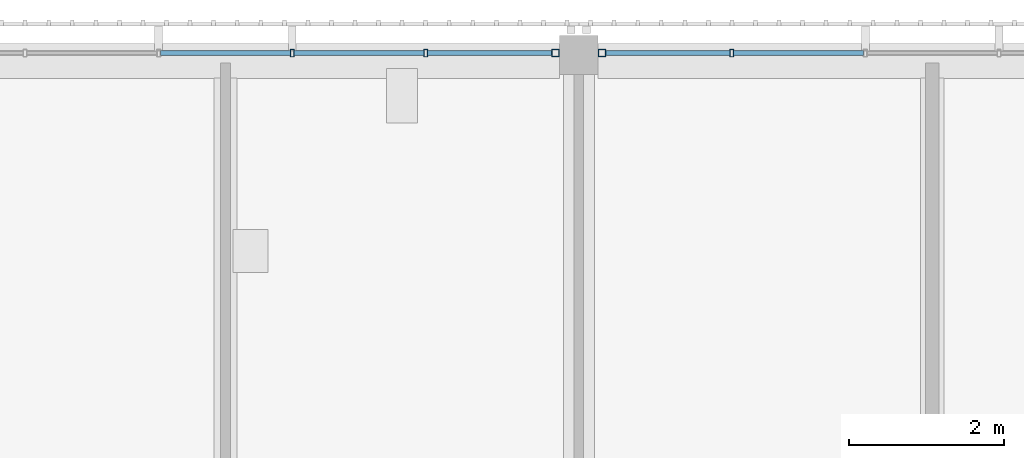
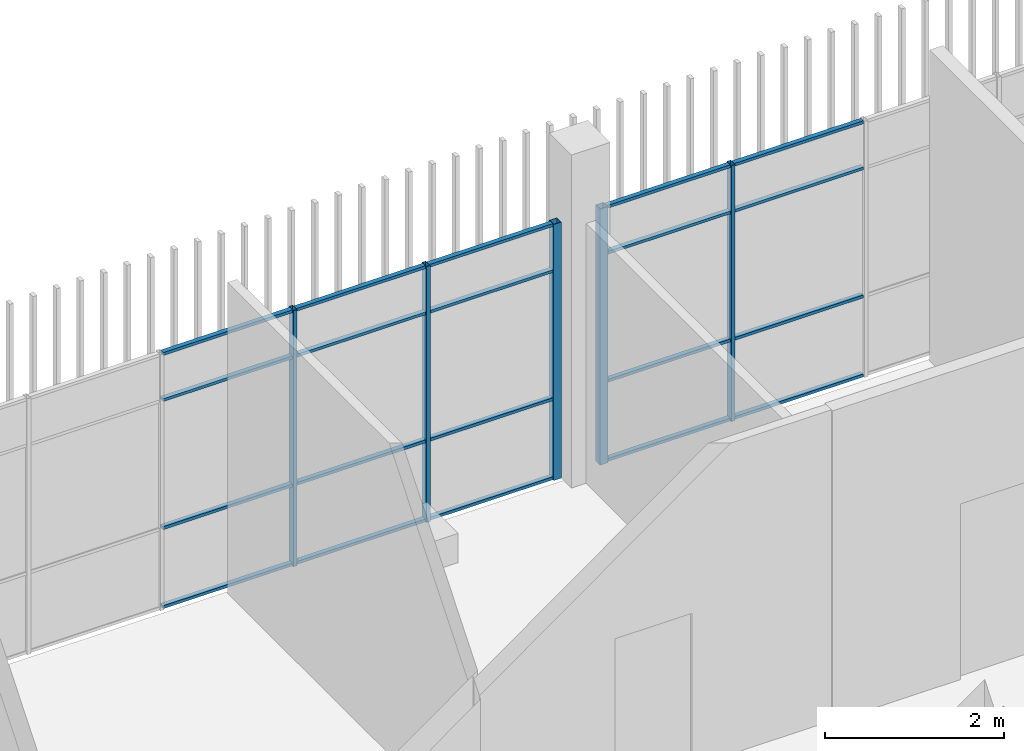
# One storey, part 46 of 124: 25 members, 2 elements without a shape of their own.
"""IFC4 building model written with IfcOpenShell, lengths in metres."""

import ifcopenshell
import ifcopenshell.guid

model = None  # the IFC model being written
_history = None  # IfcOwnerHistory: only IFC2X3 demands one
_inside = {}  # id of a spatial element -> (the spatial element, [elements in it])
_under = {}  # id of a project, library or spatial element -> (it, [spatial elements below it])
_declared = {}  # id of a project -> (the project, [libraries it declares])
_typed = {}  # id of a type object -> (the type object, [elements of that type])
_made_of = {}  # id of a material, layer set ... -> (it, [elements and type objects made of it])


def new_model(schema):
    """Start an empty IFC model of exactly this schema.

    Asked for "IFC4X3", IfcOpenShell would pick the latest addendum, in which some entities
    have other attributes; the version numbers below select the first issue.
    IFC2X3 requires an IfcOwnerHistory on every rooted entity: one is made here for all.
    """
    global model, _history
    if schema == "IFC4X3":
        model = ifcopenshell.file(schema_version=(4, 3, 0, 0))
    else:
        model = ifcopenshell.file(schema=schema)
    _inside.clear()
    _under.clear()
    _declared.clear()
    _typed.clear()
    _made_of.clear()
    _history = None
    if model.schema == "IFC2X3":
        org = make("IfcOrganization", Name="unknown")
        user = make(
            "IfcPersonAndOrganization",
            ThePerson=make("IfcPerson", FamilyName="unknown"),
            TheOrganization=org,
        )
        app = make(
            "IfcApplication",
            ApplicationDeveloper=org,
            Version="unknown",
            ApplicationFullName="unknown",
            ApplicationIdentifier="unknown",
        )
        _history = make(
            "IfcOwnerHistory",
            OwningUser=user,
            OwningApplication=app,
            ChangeAction="ADDED",
            CreationDate=0,
        )
    return model


def make(cls, **values):
    """One entity of the class cls with the attributes given. An attribute that is None is left unset."""
    return model.create_entity(
        cls, **{name: value for name, value in values.items() if value is not None}
    )


def rooted(cls, **values):
    """An entity with a GlobalId (a new one), such as an element, a storey or a relation."""
    return make(cls, GlobalId=ifcopenshell.guid.new(), OwnerHistory=_history, **values)


def si_unit(unit_type, name, prefix=None):
    """IfcSIUnit, for example si_unit("LENGTHUNIT", "METRE", prefix="MILLI")."""
    return make("IfcSIUnit", UnitType=unit_type, Prefix=prefix, Name=name)


def assignment(units):
    """IfcUnitAssignment: the units of a project."""
    return None if units is None else make("IfcUnitAssignment", Units=units)


def point(xyz):
    """IfcCartesianPoint."""
    return None if xyz is None else make("IfcCartesianPoint", Coordinates=xyz)


def direction(xyz):
    """IfcDirection."""
    return None if xyz is None else make("IfcDirection", DirectionRatios=xyz)


def frame(location, z_axis=None, x_axis=None):
    """IfcAxis2Placement3D, a coordinate frame: its origin and axes. An axis left out is left unset."""
    return make(
        "IfcAxis2Placement3D",
        Location=point(location),
        Axis=direction(z_axis),
        RefDirection=direction(x_axis),
    )


def frame_2d(location, x_axis=None):
    """IfcAxis2Placement2D, a coordinate frame in the plane: its origin and x axis."""
    return make(
        "IfcAxis2Placement2D", Location=point(location), RefDirection=direction(x_axis)
    )


def origin():
    """The frame at (0, 0, 0) with its axes left unset."""
    return frame((0.0, 0.0, 0.0))


def origin_2d():
    """The frame at (0, 0) in the plane with its x axis left unset."""
    return frame_2d((0.0, 0.0))


def place(relative_to, where):
    """IfcLocalPlacement: puts the frame where relative to a parent placement (None: the world)."""
    return make(
        "IfcLocalPlacement", PlacementRelTo=relative_to, RelativePlacement=where
    )


def context(
    kind, dimensions, precision=None, world=None, true_north=None, identifier=None
):
    """IfcGeometricRepresentationContext, for example the 3D "Model" context."""
    return make(
        "IfcGeometricRepresentationContext",
        ContextIdentifier=identifier,
        ContextType=kind,
        CoordinateSpaceDimension=dimensions,
        Precision=precision,
        WorldCoordinateSystem=world,
        TrueNorth=true_north,
    )


def subcontext(parent, identifier, kind, view, scale=None):
    """IfcGeometricRepresentationSubContext, for example "Body" below "Model"."""
    return make(
        "IfcGeometricRepresentationSubContext",
        ContextIdentifier=identifier,
        ContextType=kind,
        ParentContext=parent,
        TargetScale=scale,
        TargetView=view,
    )


def project(units=None, contexts=None):
    """IfcProject with its units and contexts."""
    return rooted(
        "IfcProject",
        Name="project",
        RepresentationContexts=contexts,
        UnitsInContext=assignment(units),
    )


def spatial(cls, under=None, at=None, **own):
    """A site, building, storey or space (cls), placed at a placement, below another one or the project."""
    s = rooted(cls, ObjectPlacement=at, **own)
    if under is not None:
        _under.setdefault(under.id(), (under, []))[1].append(s)
    return s


def profile(cls, at=None, kind="AREA", **sizes):
    """A parametric profile (cls). Its sizes go by their IFC names, for example OverallWidth=200.0."""
    return make(cls, ProfileType=kind, Position=at, **sizes)


def hollow_rectangle(**sizes):
    """IfcRectangleHollowProfileDef."""
    return profile("IfcRectangleHollowProfileDef", **sizes)


def extrude(swept, where, along, depth):
    """IfcExtrudedAreaSolid: the profile swept, set in the frame where, extruded along a direction by depth."""
    return make(
        "IfcExtrudedAreaSolid",
        SweptArea=swept,
        Position=where,
        ExtrudedDirection=direction(along),
        Depth=depth,
    )


def shape(context_of_items, identifier, shape_type, items):
    """IfcShapeRepresentation: the items that make up one representation, for example the "Body"."""
    return make(
        "IfcShapeRepresentation",
        ContextOfItems=context_of_items,
        RepresentationIdentifier=identifier,
        RepresentationType=shape_type,
        Items=items,
    )


def material(Name=None, Category=None):
    """IfcMaterial."""
    return make("IfcMaterial", Name=Name, Category=Category)


def layer(
    of_material, thickness, ventilated=None, Name=None, Category=None, Priority=None
):
    """IfcMaterialLayer: one layer of a wall or slab, of a material (None: an air gap)."""
    return make(
        "IfcMaterialLayer",
        Material=of_material,
        LayerThickness=thickness,
        IsVentilated=ventilated,
        Name=Name,
        Category=Category,
        Priority=Priority,
    )


def layer_set(layers, Name=None):
    """IfcMaterialLayerSet."""
    return make("IfcMaterialLayerSet", MaterialLayers=layers, LayerSetName=Name)


def material_profile(
    of_material, cross_section, Name=None, Category=None, Priority=None
):
    """IfcMaterialProfile: a cross section and its material."""
    return make(
        "IfcMaterialProfile",
        Name=Name,
        Material=of_material,
        Profile=cross_section,
        Priority=Priority,
        Category=Category,
    )


def profile_set(profiles, Name=None, composite=None):
    """IfcMaterialProfileSet."""
    return make(
        "IfcMaterialProfileSet",
        Name=Name,
        MaterialProfiles=profiles,
        CompositeProfile=composite,
    )


def made_of(thing, what):
    """Note that an element or type object is made of a material, layer set ...; save() writes the relation."""
    if what is not None:
        _made_of.setdefault(what.id(), (what, []))[1].append(thing)
    return thing


def type_object(cls, material=None, **own):
    """A type object (cls), such as IfcWallType, which elements share."""
    return made_of(rooted(cls, **own), material)


def element(
    cls,
    number,
    at=None,
    inside=None,
    cuts=None,
    type_object=None,
    material=None,
    context=None,
    identifier="Body",
    shape_type=None,
    held_by="IfcProductDefinitionShape",
    body=None,
    shapes=None,
    **own,
):
    """One element of the class cls, such as IfcWall. Its Tag is "e" and its number.

    at: its placement. inside: the storey or other place that contains it. cuts: it is an
    opening in that element (IfcRelVoidsElement). A single representation is given by context,
    identifier, shape_type and body (its items); several are given by shapes. held_by: the class
    of the entity that holds the representations. save() writes the other relations.
    """
    e = rooted(cls, Tag="e%d" % number, ObjectPlacement=at, **own)
    if body is not None:
        shapes = [shape(context, identifier, shape_type, body)]
    if shapes is not None:
        e.Representation = make(held_by, Representations=shapes)
    if inside is not None:
        _inside.setdefault(inside.id(), (inside, []))[1].append(e)
    if cuts is not None:
        rooted(
            "IfcRelVoidsElement", RelatingBuildingElement=cuts, RelatedOpeningElement=e
        )
    if type_object is not None:
        _typed.setdefault(type_object.id(), (type_object, []))[1].append(e)
    return made_of(e, material)


def aggregate(whole, parts):
    """IfcRelAggregates: a whole, such as a stair, and the parts it consists of."""
    return rooted("IfcRelAggregates", RelatingObject=whole, RelatedObjects=parts)


def save(model, path):
    """Write the relations noted so far, then the file.

    IfcRelAggregates (storeys below a building ...), IfcRelContainedInSpatialStructure (elements
    in a storey), IfcRelDefinesByType, IfcRelAssociatesMaterial and IfcRelDeclares: one each for
    every whole, place, type object, material and project.
    """
    for whole, parts in _under.values():
        aggregate(whole, parts)
    for where, things in _inside.values():
        rooted(
            "IfcRelContainedInSpatialStructure",
            RelatedElements=things,
            RelatingStructure=where,
        )
    for kind, things in _typed.values():
        rooted("IfcRelDefinesByType", RelatedObjects=things, RelatingType=kind)
    for what, things in _made_of.values():
        rooted("IfcRelAssociatesMaterial", RelatedObjects=things, RelatingMaterial=what)
    for by, libraries in _declared.values():
        rooted("IfcRelDeclares", RelatingContext=by, RelatedDefinitions=libraries)
    model.write(path)


model = new_model("IFC4")

# Units and contexts
model_context = context("Model", 3, precision=1e-05, world=origin(), true_north=direction((0.0, 1.0)))
body_context = subcontext(model_context, "Body", "Model", "MODEL_VIEW")
ifc_project = project(units=[si_unit("LENGTHUNIT", "METRE"), si_unit("AREAUNIT", "SQUARE_METRE"), si_unit("VOLUMEUNIT", "CUBIC_METRE"), si_unit("PLANEANGLEUNIT", "RADIAN"), si_unit("MASSUNIT", "GRAM", prefix="KILO")], contexts=[model_context])

# Site, building, storey
site_placement = place(None, origin())
site = spatial("IfcSite", under=ifc_project, at=site_placement, CompositionType="ELEMENT")
building_placement = place(site_placement, origin())
building = spatial("IfcBuilding", under=site, at=building_placement, Name="Shirokan Park Arena", CompositionType="ELEMENT")
storey_placement = place(building_placement, frame((0.0, 0.0, 20.02001953125)))
storey = spatial("IfcBuildingStorey", under=building, at=storey_placement, Name="L04", CompositionType="ELEMENT", Elevation=20.02001953125)

# Curtain wall, member
ifc_material_1 = material(Name="Steel and glass curtain wall", Category="steel")
ifc_layer = layer(ifc_material_1, 0.10009765625)
ifc_layer_set = layer_set([ifc_layer], Name="Steel and glass curtain wall 100 mm")
curtain_wall_type = type_object("IfcCurtainWallType", Name="Curtain wall sheltered bay 100", PredefinedType="NOTDEFINED", material=ifc_layer_set)
curtain_wall_1_placement = place(storey_placement, origin())
curtain_wall_1 = element("IfcCurtainWall", 1, at=curtain_wall_1_placement, inside=storey, type_object=curtain_wall_type, Name="Curtain wall north bay 5 L04", PredefinedType="NOTDEFINED")
ifc_material_2 = material(Name="Steel S355", Category="steel")
ifc_material_profile_1 = material_profile(ifc_material_2, hollow_rectangle(XDim=0.10009765625, YDim=0.10009765625, WallThickness=0.006103515625, at=origin_2d()), Name="RHS 100x100x6")
ifc_profile_set_1 = profile_set([ifc_material_profile_1], Name="Steel S355")
member_type_1 = type_object("IfcMemberType", Name="Mullion RHS 100x100x6", PredefinedType="MULLION", material=ifc_profile_set_1)
member_1_placement = place(storey_placement, frame((100.39990234375, 109.300048828125, 0.0), z_axis=(0.0, 0.0, 1.0), x_axis=(0.0, -1.0, 0.0)))
member_1 = element("IfcMember", 2, at=member_1_placement, type_object=member_type_1, Name="CW2 mullion 6", PredefinedType="MULLION", context=body_context, shape_type="SweptSolid", body=[
    extrude(hollow_rectangle(XDim=0.10009765625, YDim=0.10009765625, WallThickness=0.006103515625, at=origin_2d()), origin(), (0.0, 0.0, 1.0), 3.5),
])

curtain_wall_2_placement = place(storey_placement, origin())
curtain_wall_2 = element("IfcCurtainWall", 3, at=curtain_wall_2_placement, inside=storey, type_object=curtain_wall_type, Name="Curtain wall north bay 6 L04", PredefinedType="NOTDEFINED")
member_2_placement = place(storey_placement, frame((99.800048828125, 109.300048828125, 0.0), z_axis=(0.0, 0.0, 1.0), x_axis=(0.0, -1.0, 0.0)))
member_2 = element("IfcMember", 4, at=member_2_placement, type_object=member_type_1, Name="CW2 mullion 1", PredefinedType="MULLION", context=body_context, shape_type="SweptSolid", body=[
    extrude(hollow_rectangle(XDim=0.10009765625, YDim=0.10009765625, WallThickness=0.006103515625, at=origin_2d()), origin(), (0.0, 0.0, 1.0), 3.5),
])

# Member
ifc_material_profile_2 = material_profile(ifc_material_2, hollow_rectangle(XDim=0.10009765625, YDim=0.050048828125, WallThickness=0.0048828125, at=origin_2d()), Name="RHS 100x50x5")
ifc_profile_set_2 = profile_set([ifc_material_profile_2], Name="Steel S355")
member_type_2 = type_object("IfcMemberType", Name="Mullion RHS 100x50x5", PredefinedType="MULLION", material=ifc_profile_set_2)
member_3_placement = place(storey_placement, frame((102.070068359375, 109.300048828125, 0.0), z_axis=(0.0, 0.0, 1.0), x_axis=(0.0, -1.0, 0.0)))
member_3 = element("IfcMember", 5, at=member_3_placement, type_object=member_type_2, Name="CW2 mullion 5", PredefinedType="MULLION", context=body_context, shape_type="SweptSolid", body=[
    extrude(hollow_rectangle(XDim=0.10009765625, YDim=0.050048828125, WallThickness=0.0048828125, at=origin_2d()), origin(), (0.0, 0.0, 1.0), 3.5),
])

member_4_placement = place(storey_placement, frame((98.1298828125, 109.300048828125, 0.0), z_axis=(0.0, 0.0, 1.0), x_axis=(0.0, -1.0, 0.0)))
member_4 = element("IfcMember", 6, at=member_4_placement, type_object=member_type_2, Name="CW2 mullion 2", PredefinedType="MULLION", context=body_context, shape_type="SweptSolid", body=[
    extrude(hollow_rectangle(XDim=0.10009765625, YDim=0.050048828125, WallThickness=0.0048828125, at=origin_2d()), origin(), (0.0, 0.0, 1.0), 3.5),
])

member_5_placement = place(storey_placement, frame((96.409912109375, 109.300048828125, 0.0), z_axis=(0.0, 0.0, 1.0), x_axis=(0.0, -1.0, 0.0)))
member_5 = element("IfcMember", 7, at=member_5_placement, type_object=member_type_2, Name="CW2 mullion 3", PredefinedType="MULLION", context=body_context, shape_type="SweptSolid", body=[
    extrude(hollow_rectangle(XDim=0.10009765625, YDim=0.050048828125, WallThickness=0.0048828125, at=origin_2d()), origin(), (0.0, 0.0, 1.0), 3.5),
])

ifc_material_profile_3 = material_profile(ifc_material_2, hollow_rectangle(XDim=0.06005859375, YDim=0.0400390625, WallThickness=0.00390625, at=origin_2d()), Name="RHS 60x40x4")
ifc_profile_set_3 = profile_set([ifc_material_profile_3], Name="Steel S355")
member_type_3 = type_object("IfcMemberType", Name="Transom RHS 60x40x4", PredefinedType="MULLION", material=ifc_profile_set_3)
member_6_placement = place(storey_placement, frame((103.764892578125, 109.300048828125, 0.02001953125), z_axis=(-1.0, 0.0, 0.0), x_axis=(0.0, -1.0, 0.0)))
member_6 = element("IfcMember", 8, at=member_6_placement, type_object=member_type_3, Name="CW2 transom 4.1", PredefinedType="MULLION", context=body_context, shape_type="SweptSolid", body=[
    extrude(hollow_rectangle(XDim=0.06005859375, YDim=0.0400390625, WallThickness=0.00390625, at=origin_2d()), origin(), (0.0, 0.0, 1.0), 1.669921875),
])

member_7_placement = place(storey_placement, frame((103.764892578125, 109.300048828125, 1.10009765625), z_axis=(-1.0, 0.0, 0.0), x_axis=(0.0, -1.0, 0.0)))
member_7 = element("IfcMember", 9, at=member_7_placement, type_object=member_type_3, Name="CW2 transom 4.2", PredefinedType="MULLION", context=body_context, shape_type="SweptSolid", body=[
    extrude(hollow_rectangle(XDim=0.06005859375, YDim=0.0400390625, WallThickness=0.00390625, at=origin_2d()), origin(), (0.0, 0.0, 1.0), 1.669921875),
])

member_8_placement = place(storey_placement, frame((103.764892578125, 109.300048828125, 2.85009765625), z_axis=(-1.0, 0.0, 0.0), x_axis=(0.0, -1.0, 0.0)))
member_8 = element("IfcMember", 10, at=member_8_placement, type_object=member_type_3, Name="CW2 transom 4.3", PredefinedType="MULLION", context=body_context, shape_type="SweptSolid", body=[
    extrude(hollow_rectangle(XDim=0.06005859375, YDim=0.0400390625, WallThickness=0.00390625, at=origin_2d()), origin(), (0.0, 0.0, 1.0), 1.669921875),
])

member_9_placement = place(storey_placement, frame((103.764892578125, 109.300048828125, 3.47998046875), z_axis=(-1.0, 0.0, 0.0), x_axis=(0.0, -1.0, 0.0)))
member_9 = element("IfcMember", 11, at=member_9_placement, type_object=member_type_3, Name="CW2 transom 4.4", PredefinedType="MULLION", context=body_context, shape_type="SweptSolid", body=[
    extrude(hollow_rectangle(XDim=0.06005859375, YDim=0.0400390625, WallThickness=0.00390625, at=origin_2d()), origin(), (0.0, 0.0, 1.0), 1.669921875),
])

member_10_placement = place(storey_placement, frame((102.044921875, 109.300048828125, 0.02001953125), z_axis=(-1.0, 0.0, 0.0), x_axis=(0.0, -1.0, 0.0)))
member_10 = element("IfcMember", 12, at=member_10_placement, type_object=member_type_3, Name="CW2 transom 5.1", PredefinedType="MULLION", context=body_context, shape_type="SweptSolid", body=[
    extrude(hollow_rectangle(XDim=0.06005859375, YDim=0.0400390625, WallThickness=0.00390625, at=origin_2d()), origin(), (0.0, 0.0, 1.0), 1.594970703125),
])

member_11_placement = place(storey_placement, frame((102.044921875, 109.300048828125, 1.10009765625), z_axis=(-1.0, 0.0, 0.0), x_axis=(0.0, -1.0, 0.0)))
member_11 = element("IfcMember", 13, at=member_11_placement, type_object=member_type_3, Name="CW2 transom 5.2", PredefinedType="MULLION", context=body_context, shape_type="SweptSolid", body=[
    extrude(hollow_rectangle(XDim=0.06005859375, YDim=0.0400390625, WallThickness=0.00390625, at=origin_2d()), origin(), (0.0, 0.0, 1.0), 1.594970703125),
])

member_12_placement = place(storey_placement, frame((102.044921875, 109.300048828125, 2.85009765625), z_axis=(-1.0, 0.0, 0.0), x_axis=(0.0, -1.0, 0.0)))
member_12 = element("IfcMember", 14, at=member_12_placement, type_object=member_type_3, Name="CW2 transom 5.3", PredefinedType="MULLION", context=body_context, shape_type="SweptSolid", body=[
    extrude(hollow_rectangle(XDim=0.06005859375, YDim=0.0400390625, WallThickness=0.00390625, at=origin_2d()), origin(), (0.0, 0.0, 1.0), 1.594970703125),
])

member_13_placement = place(storey_placement, frame((102.044921875, 109.300048828125, 3.47998046875), z_axis=(-1.0, 0.0, 0.0), x_axis=(0.0, -1.0, 0.0)))
member_13 = element("IfcMember", 15, at=member_13_placement, type_object=member_type_3, Name="CW2 transom 5.4", PredefinedType="MULLION", context=body_context, shape_type="SweptSolid", body=[
    extrude(hollow_rectangle(XDim=0.06005859375, YDim=0.0400390625, WallThickness=0.00390625, at=origin_2d()), origin(), (0.0, 0.0, 1.0), 1.594970703125),
])

aggregate(curtain_wall_1, [member_3, member_1, member_6, member_7, member_8, member_9, member_10, member_11, member_12, member_13])

member_14_placement = place(storey_placement, frame((99.75, 109.300048828125, 0.02001953125), z_axis=(-1.0, 0.0, 0.0), x_axis=(0.0, -1.0, 0.0)))
member_14 = element("IfcMember", 16, at=member_14_placement, type_object=member_type_3, Name="CW2 transom 1.1", PredefinedType="MULLION", context=body_context, shape_type="SweptSolid", body=[
    extrude(hollow_rectangle(XDim=0.06005859375, YDim=0.0400390625, WallThickness=0.00390625, at=origin_2d()), origin(), (0.0, 0.0, 1.0), 1.594970703125),
])

member_15_placement = place(storey_placement, frame((99.75, 109.300048828125, 1.10009765625), z_axis=(-1.0, 0.0, 0.0), x_axis=(0.0, -1.0, 0.0)))
member_15 = element("IfcMember", 17, at=member_15_placement, type_object=member_type_3, Name="CW2 transom 1.2", PredefinedType="MULLION", context=body_context, shape_type="SweptSolid", body=[
    extrude(hollow_rectangle(XDim=0.06005859375, YDim=0.0400390625, WallThickness=0.00390625, at=origin_2d()), origin(), (0.0, 0.0, 1.0), 1.594970703125),
])

member_16_placement = place(storey_placement, frame((99.75, 109.300048828125, 2.85009765625), z_axis=(-1.0, 0.0, 0.0), x_axis=(0.0, -1.0, 0.0)))
member_16 = element("IfcMember", 18, at=member_16_placement, type_object=member_type_3, Name="CW2 transom 1.3", PredefinedType="MULLION", context=body_context, shape_type="SweptSolid", body=[
    extrude(hollow_rectangle(XDim=0.06005859375, YDim=0.0400390625, WallThickness=0.00390625, at=origin_2d()), origin(), (0.0, 0.0, 1.0), 1.594970703125),
])

member_17_placement = place(storey_placement, frame((99.75, 109.300048828125, 3.47998046875), z_axis=(-1.0, 0.0, 0.0), x_axis=(0.0, -1.0, 0.0)))
member_17 = element("IfcMember", 19, at=member_17_placement, type_object=member_type_3, Name="CW2 transom 1.4", PredefinedType="MULLION", context=body_context, shape_type="SweptSolid", body=[
    extrude(hollow_rectangle(XDim=0.06005859375, YDim=0.0400390625, WallThickness=0.00390625, at=origin_2d()), origin(), (0.0, 0.0, 1.0), 1.594970703125),
])

member_18_placement = place(storey_placement, frame((98.10498046875, 109.300048828125, 0.02001953125), z_axis=(-1.0, 0.0, 0.0), x_axis=(0.0, -1.0, 0.0)))
member_18 = element("IfcMember", 20, at=member_18_placement, type_object=member_type_3, Name="CW2 transom 2.1", PredefinedType="MULLION", context=body_context, shape_type="SweptSolid", body=[
    extrude(hollow_rectangle(XDim=0.06005859375, YDim=0.0400390625, WallThickness=0.00390625, at=origin_2d()), origin(), (0.0, 0.0, 1.0), 1.669921875),
])

member_19_placement = place(storey_placement, frame((98.10498046875, 109.300048828125, 1.10009765625), z_axis=(-1.0, 0.0, 0.0), x_axis=(0.0, -1.0, 0.0)))
member_19 = element("IfcMember", 21, at=member_19_placement, type_object=member_type_3, Name="CW2 transom 2.2", PredefinedType="MULLION", context=body_context, shape_type="SweptSolid", body=[
    extrude(hollow_rectangle(XDim=0.06005859375, YDim=0.0400390625, WallThickness=0.00390625, at=origin_2d()), origin(), (0.0, 0.0, 1.0), 1.669921875),
])

member_20_placement = place(storey_placement, frame((98.10498046875, 109.300048828125, 2.85009765625), z_axis=(-1.0, 0.0, 0.0), x_axis=(0.0, -1.0, 0.0)))
member_20 = element("IfcMember", 22, at=member_20_placement, type_object=member_type_3, Name="CW2 transom 2.3", PredefinedType="MULLION", context=body_context, shape_type="SweptSolid", body=[
    extrude(hollow_rectangle(XDim=0.06005859375, YDim=0.0400390625, WallThickness=0.00390625, at=origin_2d()), origin(), (0.0, 0.0, 1.0), 1.669921875),
])

member_21_placement = place(storey_placement, frame((98.10498046875, 109.300048828125, 3.47998046875), z_axis=(-1.0, 0.0, 0.0), x_axis=(0.0, -1.0, 0.0)))
member_21 = element("IfcMember", 23, at=member_21_placement, type_object=member_type_3, Name="CW2 transom 2.4", PredefinedType="MULLION", context=body_context, shape_type="SweptSolid", body=[
    extrude(hollow_rectangle(XDim=0.06005859375, YDim=0.0400390625, WallThickness=0.00390625, at=origin_2d()), origin(), (0.0, 0.0, 1.0), 1.669921875),
])

member_22_placement = place(storey_placement, frame((96.385009765625, 109.300048828125, 0.02001953125), z_axis=(-1.0, 0.0, 0.0), x_axis=(0.0, -1.0, 0.0)))
member_22 = element("IfcMember", 24, at=member_22_placement, type_object=member_type_3, Name="CW2 transom 3.1", PredefinedType="MULLION", context=body_context, shape_type="SweptSolid", body=[
    extrude(hollow_rectangle(XDim=0.06005859375, YDim=0.0400390625, WallThickness=0.00390625, at=origin_2d()), origin(), (0.0, 0.0, 1.0), 1.669921875),
])

member_23_placement = place(storey_placement, frame((96.385009765625, 109.300048828125, 1.10009765625), z_axis=(-1.0, 0.0, 0.0), x_axis=(0.0, -1.0, 0.0)))
member_23 = element("IfcMember", 25, at=member_23_placement, type_object=member_type_3, Name="CW2 transom 3.2", PredefinedType="MULLION", context=body_context, shape_type="SweptSolid", body=[
    extrude(hollow_rectangle(XDim=0.06005859375, YDim=0.0400390625, WallThickness=0.00390625, at=origin_2d()), origin(), (0.0, 0.0, 1.0), 1.669921875),
])

member_24_placement = place(storey_placement, frame((96.385009765625, 109.300048828125, 2.85009765625), z_axis=(-1.0, 0.0, 0.0), x_axis=(0.0, -1.0, 0.0)))
member_24 = element("IfcMember", 26, at=member_24_placement, type_object=member_type_3, Name="CW2 transom 3.3", PredefinedType="MULLION", context=body_context, shape_type="SweptSolid", body=[
    extrude(hollow_rectangle(XDim=0.06005859375, YDim=0.0400390625, WallThickness=0.00390625, at=origin_2d()), origin(), (0.0, 0.0, 1.0), 1.669921875),
])

member_25_placement = place(storey_placement, frame((96.385009765625, 109.300048828125, 3.47998046875), z_axis=(-1.0, 0.0, 0.0), x_axis=(0.0, -1.0, 0.0)))
member_25 = element("IfcMember", 27, at=member_25_placement, type_object=member_type_3, Name="CW2 transom 3.4", PredefinedType="MULLION", context=body_context, shape_type="SweptSolid", body=[
    extrude(hollow_rectangle(XDim=0.06005859375, YDim=0.0400390625, WallThickness=0.00390625, at=origin_2d()), origin(), (0.0, 0.0, 1.0), 1.669921875),
])

aggregate(curtain_wall_2, [member_2, member_4, member_5, member_14, member_15, member_16, member_17, member_18, member_19, member_20, member_21, member_22, member_23, member_24, member_25])

save(model, "model.ifc")
